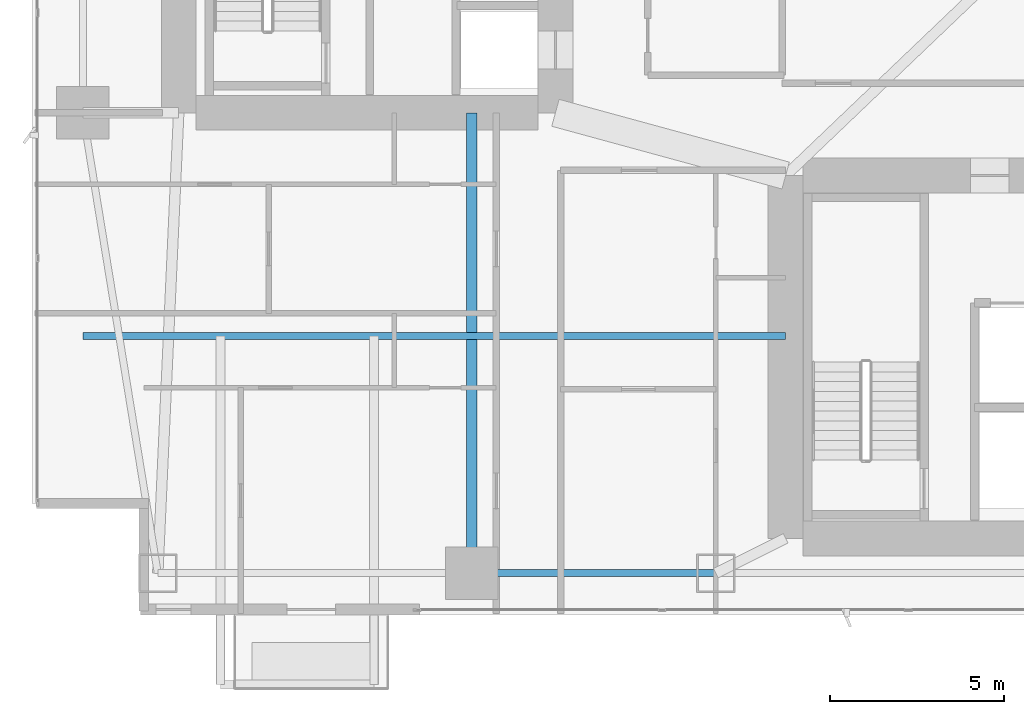
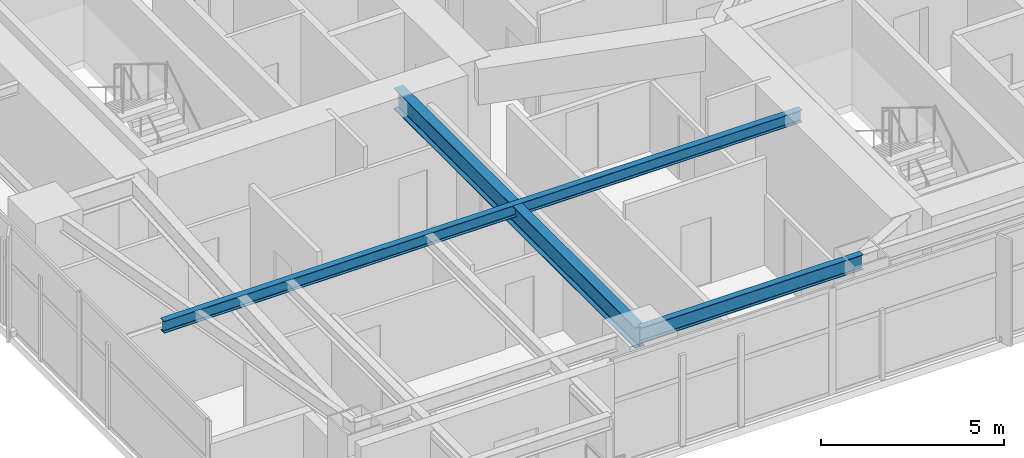
# One storey, part 5 of 29: 3 beams.
"""IFC4 building model written with IfcOpenShell, lengths in metres."""

from ifc_helpers import new_model, si_unit, direction, frame, origin, origin_2d, place, context, subcontext, project, spatial, i_section, extrude, material, material_profile, profile_set, type_object, element, save


model = new_model("IFC4")

# Units and contexts
model_context = context("Model", 3, precision=1e-05, world=origin(), true_north=direction((0.0, 1.0)))
body_context = subcontext(model_context, "Body", "Model", "MODEL_VIEW")
ifc_project = project(units=[si_unit("LENGTHUNIT", "METRE"), si_unit("AREAUNIT", "SQUARE_METRE"), si_unit("VOLUMEUNIT", "CUBIC_METRE"), si_unit("PLANEANGLEUNIT", "RADIAN"), si_unit("MASSUNIT", "GRAM", prefix="KILO")], contexts=[model_context])

# Site, building, storey
site_placement = place(None, origin())
site = spatial("IfcSite", under=ifc_project, at=site_placement, CompositionType="ELEMENT")
building_placement = place(site_placement, origin())
building = spatial("IfcBuilding", under=site, at=building_placement, Name="Calvorn Quay Hotel", CompositionType="ELEMENT")
storey_placement = place(building_placement, frame((0.0, 0.0, 85.0)))
storey = spatial("IfcBuildingStorey", under=building, at=storey_placement, Name="L20", CompositionType="ELEMENT", Elevation=85.0)

# Beams
ifc_material_1 = material(Name="Steel Q390GJC", Category="steel")
ifc_material_profile_1 = material_profile(ifc_material_1, i_section(OverallWidth=0.300048828125, OverallDepth=0.699951171875, WebThickness=0.012939453125, FlangeThickness=0.02392578125, FilletRadius=0.02392578125, at=origin_2d()), Name="HN700x300x13x24")
ifc_profile_set_1 = profile_set([ifc_material_profile_1], Name="Steel Q390GJC")
beam_type_1 = type_object("IfcBeamType", Name="BM-GIRD-MAIN", PredefinedType="BEAM", material=ifc_profile_set_1)
beam_1_placement = place(storey_placement, frame((12.60009765625, 3.60009765625, 3.18994140625), z_axis=(0.0, 1.0, 0.0), x_axis=(-1.0, 0.0, 0.0)))
element("IfcBeam", 1, at=beam_1_placement, inside=storey, type_object=beam_type_1, Name="Beam BG-L20-S1", PredefinedType="BEAM", context=body_context, shape_type="SweptSolid", body=[
    extrude(i_section(OverallWidth=0.300048828125, OverallDepth=0.699951171875, WebThickness=0.012939453125, FlangeThickness=0.02392578125, FilletRadius=0.02392578125, at=origin_2d()), origin(), (0.0, 0.0, 1.0), 13.199951171875),
])
ifc_material_2 = material(Name="Steel Q355B", Category="steel")
ifc_material_profile_2 = material_profile(ifc_material_2, i_section(OverallWidth=0.199951171875, OverallDepth=0.39990234375, WebThickness=0.008056640625, FlangeThickness=0.012939453125, FilletRadius=0.01611328125, at=origin_2d()), Name="HN400x200x8x13")
ifc_profile_set_2 = profile_set([ifc_material_profile_2], Name="Steel Q355B")
beam_type_2 = type_object("IfcBeamType", Name="BM-JOIST-TYP", PredefinedType="JOIST", material=ifc_profile_set_2)
beam_2_placement = place(storey_placement, frame((1.449951171875, 10.39990234375, 3.340087890625), z_axis=(1.0, 0.0, 0.0), x_axis=(0.0, 1.0, 0.0)))
element("IfcBeam", 2, at=beam_2_placement, inside=storey, type_object=beam_type_2, Name="Beam BJ-L20-W1", PredefinedType="JOIST", context=body_context, shape_type="SweptSolid", body=[
    extrude(i_section(OverallWidth=0.199951171875, OverallDepth=0.39990234375, WebThickness=0.008056640625, FlangeThickness=0.012939453125, FilletRadius=0.01611328125, at=origin_2d()), origin(), (0.0, 0.0, 1.0), 20.150146484375),
])
ifc_material_3 = material(Name="Steel Q355B", Category="steel")
ifc_material_profile_3 = material_profile(ifc_material_3, i_section(OverallWidth=0.199951171875, OverallDepth=0.5, WebThickness=0.010009765625, FlangeThickness=0.01611328125, FilletRadius=0.01611328125, at=origin_2d()), Name="HN500x200x10x16")
ifc_profile_set_3 = profile_set([ifc_material_profile_3], Name="Steel Q355B")
beam_type_3 = type_object("IfcBeamType", Name="BM-SPANDREL-Z1", PredefinedType="SPANDREL", material=ifc_profile_set_3)
beam_3_placement = place(storey_placement, frame((12.60009765625, 3.60009765625, 3.2900390625), z_axis=(1.0, 0.0, 0.0), x_axis=(0.0, 1.0, 0.0)))
element("IfcBeam", 3, at=beam_3_placement, inside=storey, type_object=beam_type_3, Name="Beam BSP-L20-S2", PredefinedType="SPANDREL", context=body_context, shape_type="SweptSolid", body=[
    extrude(i_section(OverallWidth=0.199951171875, OverallDepth=0.5, WebThickness=0.010009765625, FlangeThickness=0.01611328125, FilletRadius=0.01611328125, at=origin_2d()), origin(), (0.0, 0.0, 1.0), 7.0),
])

save(model, "model.ifc")
